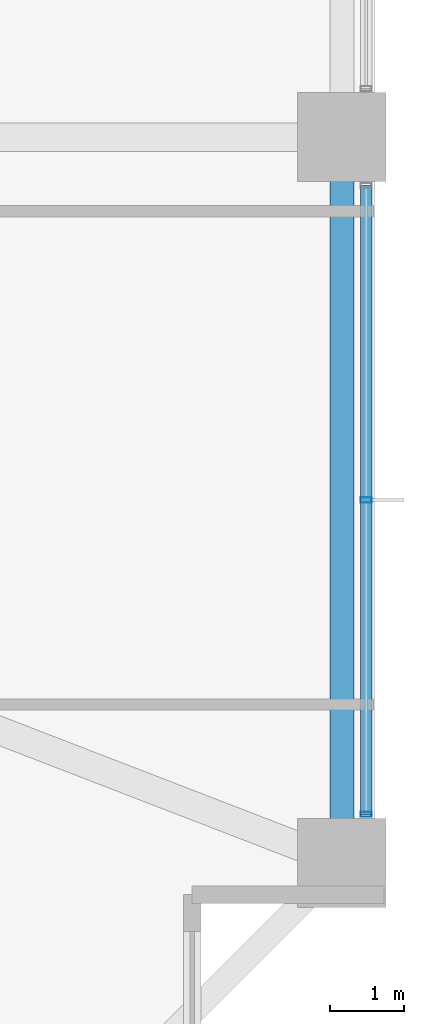
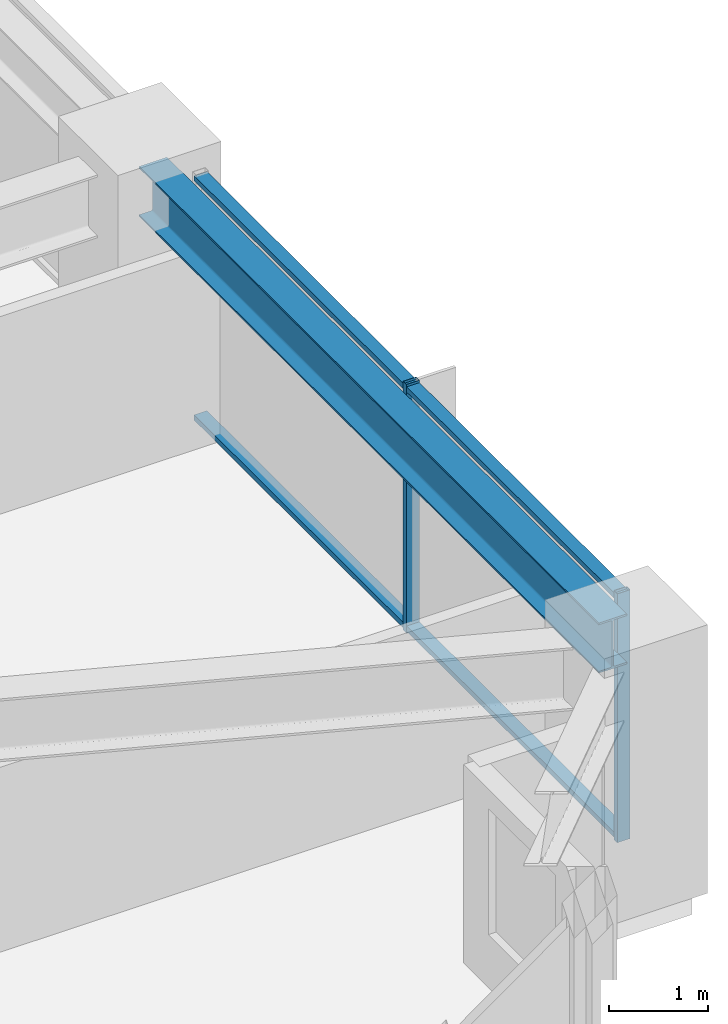
# One storey, part 13 of 38: 4 members, 1 beam, 1 element without a shape of its own.
"""IFC4 building model written with IfcOpenShell, lengths in metres."""

from ifc_helpers import new_model, si_unit, direction, frame, origin, origin_2d, place, context, subcontext, project, spatial, hollow_rectangle, i_section, extrude, material, material_profile, profile_set, type_object, element, aggregate, save


model = new_model("IFC4")

# Units and contexts
model_context = context("Model", 3, precision=1e-05, world=origin(), true_north=direction((0.0, 1.0)))
body_context = subcontext(model_context, "Body", "Model", "MODEL_VIEW")
ifc_project = project(units=[si_unit("LENGTHUNIT", "METRE"), si_unit("AREAUNIT", "SQUARE_METRE"), si_unit("VOLUMEUNIT", "CUBIC_METRE"), si_unit("PLANEANGLEUNIT", "RADIAN"), si_unit("MASSUNIT", "GRAM", prefix="KILO")], contexts=[model_context])

# Site, building, storey
site_placement = place(None, origin())
site = spatial("IfcSite", under=ifc_project, at=site_placement, CompositionType="ELEMENT")
building_placement = place(site_placement, origin())
building = spatial("IfcBuilding", under=site, at=building_placement, Name="Kolvaren Belvedere", CompositionType="ELEMENT")
storey_placement = place(building_placement, frame((0.0, 0.0, 27.10009765625)))
storey = spatial("IfcBuildingStorey", under=building, at=storey_placement, Name="L07", CompositionType="ELEMENT", Elevation=27.10009765625)

# Beam
ifc_material_1 = material(Name="Structural steel ASTM A992 Grade 50", Category="steel")
ifc_material_profile_1 = material_profile(ifc_material_1, i_section(OverallWidth=0.324951171875, OverallDepth=0.615966796875, WebThickness=0.013916015625, FlangeThickness=0.021484375, FilletRadius=0.02001953125, at=origin_2d()), Name="W24X117")
ifc_profile_set_1 = profile_set([ifc_material_profile_1], Name="Structural steel ASTM A992 Grade 50")
beam_type = type_object("IfcBeamType", Name="BM-SPAN-W24X117", PredefinedType="SPANDREL", material=ifc_profile_set_1)
beam_placement = place(storey_placement, frame((21.550048828125, -14.1298828125, 2.751953125), z_axis=(0.0, 1.0, 0.0), x_axis=(-1.0, 0.0, 0.0)))
element("IfcBeam", 1, at=beam_placement, inside=storey, type_object=beam_type, Name="L07 Perimeter Spandrel E1-E2", PredefinedType="SPANDREL", context=body_context, shape_type="SweptSolid", body=[
    extrude(i_section(OverallWidth=0.324951171875, OverallDepth=0.615966796875, WebThickness=0.013916015625, FlangeThickness=0.021484375, FilletRadius=0.02001953125, at=origin_2d()), origin(), (0.0, 0.0, 1.0), 9.259765625),
])

# Curtain wall, members
ifc_material_2 = material(Name="Anodised pale-metal aluminium AA 6063-T6", Category="aluminium")
curtain_wall_type = type_object("IfcCurtainWallType", Name="CW-Z1-LOW", PredefinedType="NOTDEFINED", material=ifc_material_2)
curtain_wall_placement = place(storey_placement, origin())
curtain_wall = element("IfcCurtainWall", 2, at=curtain_wall_placement, inside=storey, type_object=curtain_wall_type, Name="L07 Unitised Curtain Wall FCW-L07-E-B3", PredefinedType="NOTDEFINED")
ifc_material_3 = material(Name="Anodised pale-metal aluminium AA 6063-T6", Category="aluminium")
ifc_material_profile_2 = material_profile(ifc_material_3, hollow_rectangle(XDim=0.070068359375, YDim=0.14990234375, WallThickness=0.004150390625, at=origin_2d()), Name="ALU-MUL-150X70")
ifc_profile_set_2 = profile_set([ifc_material_profile_2], Name="Anodised pale-metal aluminium AA 6063-T6")
member_type_1 = type_object("IfcMemberType", Name="CW-MUL-150", PredefinedType="MULLION", material=ifc_profile_set_2)
member_1_placement = place(storey_placement, frame((21.8798828125, -9.5, 0.0), z_axis=(0.0, 0.0, 1.0), x_axis=(0.0, 1.0, 0.0)))
member_1 = element("IfcMember", 3, at=member_1_placement, type_object=member_type_1, Name="FCW-L07-E-B3 Unitised Mullion 2", PredefinedType="MULLION", context=body_context, shape_type="SweptSolid", body=[
    extrude(hollow_rectangle(XDim=0.070068359375, YDim=0.14990234375, WallThickness=0.004150390625, at=origin_2d()), origin(), (0.0, 0.0, 1.0), 3.059814453125),
])
member_2_placement = place(storey_placement, frame((21.8798828125, -13.7451171875, 0.0), z_axis=(0.0, 0.0, 1.0), x_axis=(0.0, 1.0, 0.0)))
member_2 = element("IfcMember", 4, at=member_2_placement, type_object=member_type_1, Name="FCW-L07-E-B3 Unitised Mullion 3", PredefinedType="MULLION", context=body_context, shape_type="SweptSolid", body=[
    extrude(hollow_rectangle(XDim=0.070068359375, YDim=0.14990234375, WallThickness=0.004150390625, at=origin_2d()), origin(), (0.0, 0.0, 1.0), 3.059814453125),
])
ifc_material_4 = material(Name="Anodised pale-metal aluminium AA 6063-T6", Category="aluminium")
ifc_material_profile_3 = material_profile(ifc_material_4, hollow_rectangle(XDim=0.06494140625, YDim=0.14990234375, WallThickness=0.00390625, at=origin_2d()), Name="ALU-TRN-150X65")
ifc_profile_set_3 = profile_set([ifc_material_profile_3], Name="Anodised pale-metal aluminium AA 6063-T6")
member_type_2 = type_object("IfcMemberType", Name="CW-TRN-150", PredefinedType="USERDEFINED", material=ifc_profile_set_3)
member_3_placement = place(storey_placement, frame((21.8798828125, -5.2548828125, 0.059814453125), z_axis=(0.0, -1.0, 0.0), x_axis=(0.0, 0.0, 1.0)))
member_3 = element("IfcMember", 5, at=member_3_placement, type_object=member_type_2, Name="FCW-L07-E-B3 Sill Transom", ObjectType="TRANSOM", PredefinedType="USERDEFINED", context=body_context, shape_type="SweptSolid", body=[
    extrude(hollow_rectangle(XDim=0.06494140625, YDim=0.14990234375, WallThickness=0.00390625, at=origin_2d()), origin(), (0.0, 0.0, 1.0), 8.490234375),
])
member_4_placement = place(storey_placement, frame((21.8798828125, -5.2548828125, 3.0), z_axis=(0.0, -1.0, 0.0), x_axis=(0.0, 0.0, 1.0)))
member_4 = element("IfcMember", 6, at=member_4_placement, type_object=member_type_2, Name="FCW-L07-E-B3 Head Transom", ObjectType="TRANSOM", PredefinedType="USERDEFINED", context=body_context, shape_type="SweptSolid", body=[
    extrude(hollow_rectangle(XDim=0.06494140625, YDim=0.14990234375, WallThickness=0.00390625, at=origin_2d()), origin(), (0.0, 0.0, 1.0), 8.490234375),
])
aggregate(curtain_wall, [member_1, member_2, member_3, member_4])

save(model, "model.ifc")
